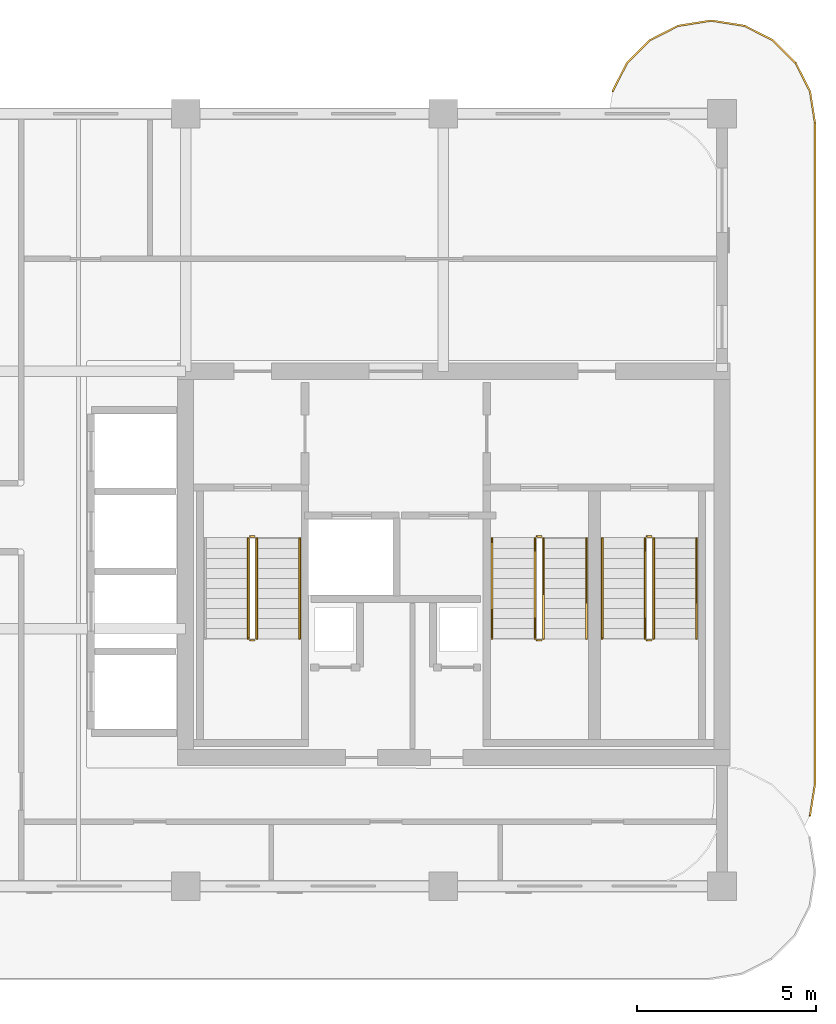
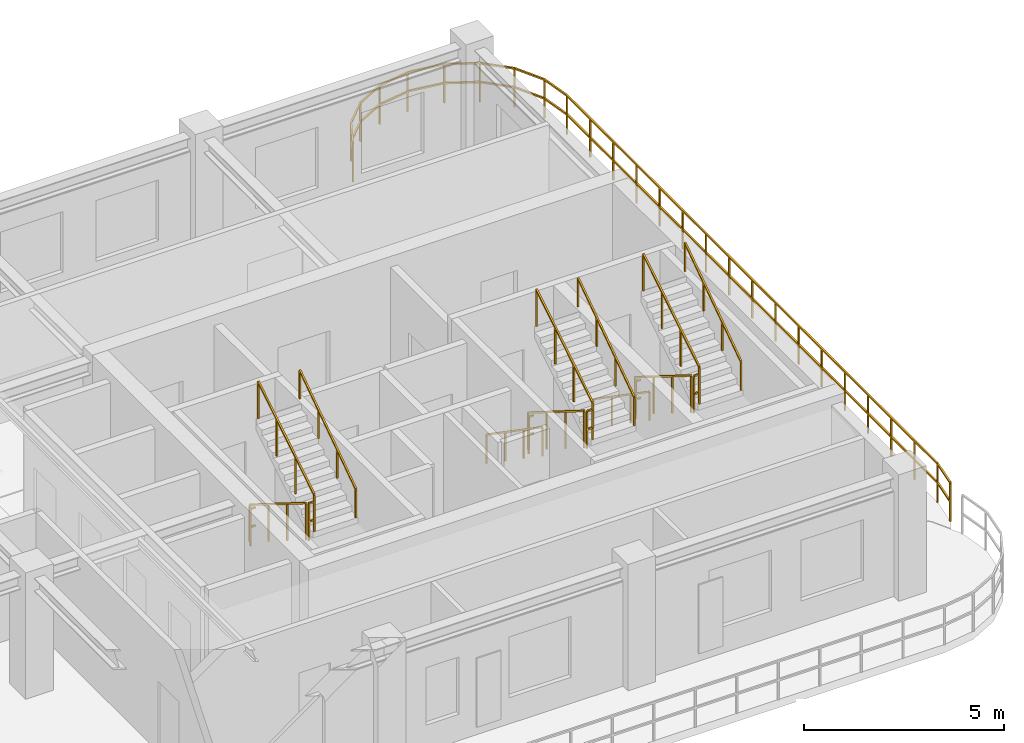
# One storey, part 7 of 7: 18 railings.
"""IFC4 building model written with IfcOpenShell, lengths in metres."""

from ifc_helpers import new_model, si_unit, derived_unit, direction, frame, origin, origin_2d, place, context, subcontext, project, spatial, rectangle, extrude, material, type_object, element, save


model = new_model("IFC4")

# Units and contexts
model_context = context("Model", 3, precision=1e-05, world=origin(), true_north=direction((0.0, 1.0)))
body_context = subcontext(model_context, "Body", "Model", "MODEL_VIEW")
ifc_project = project(units=[si_unit("LENGTHUNIT", "METRE"), si_unit("AREAUNIT", "SQUARE_METRE"), si_unit("VOLUMEUNIT", "CUBIC_METRE"), si_unit("PLANEANGLEUNIT", "RADIAN"), si_unit("MASSUNIT", "GRAM", prefix="KILO"), si_unit("THERMODYNAMICTEMPERATUREUNIT", "KELVIN"), si_unit("POWERUNIT", "WATT"), derived_unit("THERMALTRANSMITTANCEUNIT", [(si_unit("POWERUNIT", "WATT"), 1), (si_unit("AREAUNIT", "SQUARE_METRE"), -1), (si_unit("THERMODYNAMICTEMPERATUREUNIT", "KELVIN"), -1)])], contexts=[model_context])

# Site, building, storey
site_placement = place(None, origin())
site = spatial("IfcSite", under=ifc_project, at=site_placement, CompositionType="ELEMENT")
building_placement = place(site_placement, origin())
building = spatial("IfcBuilding", under=site, at=building_placement, Name="Zahravan Archway Hotel and Residences", CompositionType="ELEMENT")
storey_placement = place(building_placement, frame((0.0, 0.0, 271.199951171875)))
storey = spatial("IfcBuildingStorey", under=building, at=storey_placement, Name="L68", CompositionType="ELEMENT", Elevation=271.199951171875)

# Railings
ifc_material_1 = material(Name="Bronze & Laminated Glass Balustrade", Category="glass")
railing_type_1 = type_object("IfcRailingType", Name="RL-BAL-1200", PredefinedType="BALUSTRADE", material=ifc_material_1)
railing_1_placement = place(storey_placement, frame((46.739501953125, 22.230712890625, 0.0)))
element("IfcRailing", 1, at=railing_1_placement, inside=storey, type_object=railing_type_1, Name="L68 Balustrade RL-SLB-BAL-L68-EA-1", PredefinedType="BALUSTRADE", context=body_context, shape_type="SweptSolid", body=[
    extrude(rectangle(XDim=0.048095703125, YDim=0.048095703125, at=origin_2d()), frame((0.0, 0.0, 1.17578125), z_axis=(0.453991409995, 0.891006060389, 0.0), x_axis=(-0.891006060389, 0.453991409995, 0.0)), (0.0, 0.0, 1.0), 0.8916015625),
    extrude(rectangle(XDim=0.048095703125, YDim=0.048095703125, at=origin_2d()), frame((0.0, 0.0, 0.60009765625), z_axis=(0.453991409995, 0.891006060389, 0.0), x_axis=(-0.891006060389, 0.453991409995, 0.0)), (0.0, 0.0, 1.0), 0.8916015625),
    extrude(rectangle(XDim=0.048095703125, YDim=0.048095703125, at=origin_2d()), frame((0.40478515625, 0.79443359375, 1.17578125), z_axis=(0.707106781187, 0.707106781187, 0.0), x_axis=(-0.707106781187, 0.707106781187, 0.0)), (0.0, 0.0, 1.0), 0.891845703125),
    extrude(rectangle(XDim=0.048095703125, YDim=0.048095703125, at=origin_2d()), frame((0.40478515625, 0.79443359375, 0.60009765625), z_axis=(0.707106781187, 0.707106781187, 0.0), x_axis=(-0.707106781187, 0.707106781187, 0.0)), (0.0, 0.0, 1.0), 0.891845703125),
    extrude(rectangle(XDim=0.048095703125, YDim=0.048095703125, at=origin_2d()), frame((1.035400390625, 1.425048828125, 1.17578125), z_axis=(0.891006060389, 0.453991409995, 0.0), x_axis=(-0.453991409995, 0.891006060389, 0.0)), (0.0, 0.0, 1.0), 0.8916015625),
    extrude(rectangle(XDim=0.048095703125, YDim=0.048095703125, at=origin_2d()), frame((1.035400390625, 1.425048828125, 0.60009765625), z_axis=(0.891006060389, 0.453991409995, 0.0), x_axis=(-0.453991409995, 0.891006060389, 0.0)), (0.0, 0.0, 1.0), 0.8916015625),
    extrude(rectangle(XDim=0.048095703125, YDim=0.048095703125, at=origin_2d()), frame((1.829833984375, 1.829833984375, 1.17578125), z_axis=(0.987700720307, 0.156356282588, 0.0), x_axis=(-0.156356282588, 0.987700720307, 0.0)), (0.0, 0.0, 1.0), 0.8916015625),
    extrude(rectangle(XDim=0.048095703125, YDim=0.048095703125, at=origin_2d()), frame((1.829833984375, 1.829833984375, 0.60009765625), z_axis=(0.987700720307, 0.156356282588, 0.0), x_axis=(-0.156356282588, 0.987700720307, 0.0)), (0.0, 0.0, 1.0), 0.8916015625),
    extrude(rectangle(XDim=0.048095703125, YDim=0.048095703125, at=origin_2d()), frame((2.71044921875, 1.96923828125, 1.17578125), z_axis=(1.0, 0.0, 0.0), x_axis=(0.0, 1.0, 0.0)), (0.0, 0.0, 1.0), 0.10009765625),
    extrude(rectangle(XDim=0.048095703125, YDim=0.048095703125, at=origin_2d()), frame((2.71044921875, 1.96923828125, 0.60009765625), z_axis=(1.0, 0.0, 0.0), x_axis=(0.0, 1.0, 0.0)), (0.0, 0.0, 1.0), 0.10009765625),
    extrude(rectangle(XDim=0.048095703125, YDim=0.048095703125, at=origin_2d()), frame((2.810546875, 1.96923828125, 1.17578125), z_axis=(0.987700720307, -0.156356282588, 0.0), x_axis=(0.156356282588, 0.987700720307, 0.0)), (0.0, 0.0, 1.0), 0.8916015625),
    extrude(rectangle(XDim=0.048095703125, YDim=0.048095703125, at=origin_2d()), frame((2.810546875, 1.96923828125, 0.60009765625), z_axis=(0.987700720307, -0.156356282588, 0.0), x_axis=(0.156356282588, 0.987700720307, 0.0)), (0.0, 0.0, 1.0), 0.8916015625),
    extrude(rectangle(XDim=0.048095703125, YDim=0.048095703125, at=origin_2d()), frame((3.691162109375, 1.829833984375, 1.17578125), z_axis=(0.891006060389, -0.453991409995, 0.0), x_axis=(0.453991409995, 0.891006060389, 0.0)), (0.0, 0.0, 1.0), 0.8916015625),
    extrude(rectangle(XDim=0.048095703125, YDim=0.048095703125, at=origin_2d()), frame((3.691162109375, 1.829833984375, 0.60009765625), z_axis=(0.891006060389, -0.453991409995, 0.0), x_axis=(0.453991409995, 0.891006060389, 0.0)), (0.0, 0.0, 1.0), 0.8916015625),
    extrude(rectangle(XDim=0.048095703125, YDim=0.048095703125, at=origin_2d()), frame((4.485595703125, 1.425048828125, 1.17578125), z_axis=(0.707106781187, -0.707106781187, 0.0), x_axis=(0.707106781187, 0.707106781187, 0.0)), (0.0, 0.0, 1.0), 0.891845703125),
    extrude(rectangle(XDim=0.048095703125, YDim=0.048095703125, at=origin_2d()), frame((4.485595703125, 1.425048828125, 0.60009765625), z_axis=(0.707106781187, -0.707106781187, 0.0), x_axis=(0.707106781187, 0.707106781187, 0.0)), (0.0, 0.0, 1.0), 0.891845703125),
    extrude(rectangle(XDim=0.048095703125, YDim=0.048095703125, at=origin_2d()), frame((5.1162109375, 0.79443359375, 1.17578125), z_axis=(0.453991409995, -0.891006060389, 0.0), x_axis=(0.891006060389, 0.453991409995, 0.0)), (0.0, 0.0, 1.0), 0.8916015625),
    extrude(rectangle(XDim=0.048095703125, YDim=0.048095703125, at=origin_2d()), frame((5.1162109375, 0.79443359375, 0.60009765625), z_axis=(0.453991409995, -0.891006060389, 0.0), x_axis=(0.891006060389, 0.453991409995, 0.0)), (0.0, 0.0, 1.0), 0.8916015625),
    extrude(rectangle(XDim=0.048095703125, YDim=0.048095703125, at=origin_2d()), frame((5.52099609375, 0.0, 1.17578125), z_axis=(0.156356282588, -0.987700720307, 0.0), x_axis=(0.987700720307, 0.156356282588, 0.0)), (0.0, 0.0, 1.0), 0.8916015625),
    extrude(rectangle(XDim=0.048095703125, YDim=0.048095703125, at=origin_2d()), frame((5.52099609375, 0.0, 0.60009765625), z_axis=(0.156356282588, -0.987700720307, 0.0), x_axis=(0.987700720307, 0.156356282588, 0.0)), (0.0, 0.0, 1.0), 0.8916015625),
    extrude(rectangle(XDim=0.048095703125, YDim=0.048095703125, at=origin_2d()), frame((5.660400390625, -0.880615234375, 1.17578125), z_axis=(0.0, -1.0, 0.0), x_axis=(1.0, 0.0, 0.0)), (0.0, 0.0, 1.0), 18.5),
    extrude(rectangle(XDim=0.048095703125, YDim=0.048095703125, at=origin_2d()), frame((5.660400390625, -0.880615234375, 0.60009765625), z_axis=(0.0, -1.0, 0.0), x_axis=(1.0, 0.0, 0.0)), (0.0, 0.0, 1.0), 18.5),
    extrude(rectangle(XDim=0.048095703125, YDim=0.048095703125, at=origin_2d()), frame((5.660400390625, -19.380615234375, 1.17578125), z_axis=(-0.156314005608, -0.987707411965, 0.0), x_axis=(0.987707411965, -0.156314005608, 0.0)), (0.0, 0.0, 1.0), 0.891845703125),
    extrude(rectangle(XDim=0.048095703125, YDim=0.048095703125, at=origin_2d()), frame((5.660400390625, -19.380615234375, 0.60009765625), z_axis=(-0.156314005608, -0.987707411965, 0.0), x_axis=(0.987707411965, -0.156314005608, 0.0)), (0.0, 0.0, 1.0), 0.891845703125),
    extrude(rectangle(XDim=0.0419921875, YDim=0.0419921875, at=origin_2d()), origin(), (0.0, 0.0, 1.0), 1.15185546875),
    extrude(rectangle(XDim=0.0419921875, YDim=0.0419921875, at=origin_2d()), frame((0.40478515625, 0.79443359375, 0.0)), (0.0, 0.0, 1.0), 1.15185546875),
    extrude(rectangle(XDim=0.0419921875, YDim=0.0419921875, at=origin_2d()), frame((1.035400390625, 1.425048828125, 0.0)), (0.0, 0.0, 1.0), 1.15185546875),
    extrude(rectangle(XDim=0.0419921875, YDim=0.0419921875, at=origin_2d()), frame((1.829833984375, 1.829833984375, 0.0)), (0.0, 0.0, 1.0), 1.15185546875),
    extrude(rectangle(XDim=0.0419921875, YDim=0.0419921875, at=origin_2d()), frame((2.71044921875, 1.96923828125, 0.0)), (0.0, 0.0, 1.0), 1.15185546875),
    extrude(rectangle(XDim=0.0419921875, YDim=0.0419921875, at=origin_2d()), frame((3.691162109375, 1.829833984375, 0.0)), (0.0, 0.0, 1.0), 1.15185546875),
    extrude(rectangle(XDim=0.0419921875, YDim=0.0419921875, at=origin_2d()), frame((4.485595703125, 1.425048828125, 0.0)), (0.0, 0.0, 1.0), 1.15185546875),
    extrude(rectangle(XDim=0.0419921875, YDim=0.0419921875, at=origin_2d()), frame((5.1162109375, 0.79443359375, 0.0)), (0.0, 0.0, 1.0), 1.15185546875),
    extrude(rectangle(XDim=0.0419921875, YDim=0.0419921875, at=origin_2d()), frame((5.52099609375, 0.0, 0.0)), (0.0, 0.0, 1.0), 1.15185546875),
    extrude(rectangle(XDim=0.0419921875, YDim=0.0419921875, at=origin_2d()), frame((5.660400390625, -0.880615234375, 0.0)), (0.0, 0.0, 1.0), 1.15185546875),
    extrude(rectangle(XDim=0.0419921875, YDim=0.0419921875, at=origin_2d()), frame((5.660400390625, -2.036865234375, 0.0)), (0.0, 0.0, 1.0), 1.15185546875),
    extrude(rectangle(XDim=0.0419921875, YDim=0.0419921875, at=origin_2d()), frame((5.660400390625, -3.193115234375, 0.0)), (0.0, 0.0, 1.0), 1.15185546875),
    extrude(rectangle(XDim=0.0419921875, YDim=0.0419921875, at=origin_2d()), frame((5.660400390625, -4.349365234375, 0.0)), (0.0, 0.0, 1.0), 1.15185546875),
    extrude(rectangle(XDim=0.0419921875, YDim=0.0419921875, at=origin_2d()), frame((5.660400390625, -5.505615234375, 0.0)), (0.0, 0.0, 1.0), 1.15185546875),
    extrude(rectangle(XDim=0.0419921875, YDim=0.0419921875, at=origin_2d()), frame((5.660400390625, -6.661865234375, 0.0)), (0.0, 0.0, 1.0), 1.15185546875),
    extrude(rectangle(XDim=0.0419921875, YDim=0.0419921875, at=origin_2d()), frame((5.660400390625, -7.818115234375, 0.0)), (0.0, 0.0, 1.0), 1.15185546875),
    extrude(rectangle(XDim=0.0419921875, YDim=0.0419921875, at=origin_2d()), frame((5.660400390625, -8.974365234375, 0.0)), (0.0, 0.0, 1.0), 1.15185546875),
    extrude(rectangle(XDim=0.0419921875, YDim=0.0419921875, at=origin_2d()), frame((5.660400390625, -10.130615234375, 0.0)), (0.0, 0.0, 1.0), 1.15185546875),
    extrude(rectangle(XDim=0.0419921875, YDim=0.0419921875, at=origin_2d()), frame((5.660400390625, -11.286865234375, 0.0)), (0.0, 0.0, 1.0), 1.15185546875),
    extrude(rectangle(XDim=0.0419921875, YDim=0.0419921875, at=origin_2d()), frame((5.660400390625, -12.443115234375, 0.0)), (0.0, 0.0, 1.0), 1.15185546875),
    extrude(rectangle(XDim=0.0419921875, YDim=0.0419921875, at=origin_2d()), frame((5.660400390625, -13.599365234375, 0.0)), (0.0, 0.0, 1.0), 1.15185546875),
    extrude(rectangle(XDim=0.0419921875, YDim=0.0419921875, at=origin_2d()), frame((5.660400390625, -14.755615234375, 0.0)), (0.0, 0.0, 1.0), 1.15185546875),
    extrude(rectangle(XDim=0.0419921875, YDim=0.0419921875, at=origin_2d()), frame((5.660400390625, -15.911865234375, 0.0)), (0.0, 0.0, 1.0), 1.15185546875),
    extrude(rectangle(XDim=0.0419921875, YDim=0.0419921875, at=origin_2d()), frame((5.660400390625, -17.068115234375, 0.0)), (0.0, 0.0, 1.0), 1.15185546875),
    extrude(rectangle(XDim=0.0419921875, YDim=0.0419921875, at=origin_2d()), frame((5.660400390625, -18.224365234375, 0.0)), (0.0, 0.0, 1.0), 1.15185546875),
    extrude(rectangle(XDim=0.0419921875, YDim=0.0419921875, at=origin_2d()), frame((5.660400390625, -19.380615234375, 0.0)), (0.0, 0.0, 1.0), 1.15185546875),
    extrude(rectangle(XDim=0.0419921875, YDim=0.0419921875, at=origin_2d()), frame((5.52099609375, -20.261474609375, 0.0)), (0.0, 0.0, 1.0), 1.15185546875),
])
ifc_material_2 = material(Name="Painted Tubular Steel", Category="steel")
railing_type_2 = type_object("IfcRailingType", Name="RL-STG-1150", PredefinedType="GUARDRAIL", material=ifc_material_2)
railing_2_placement = place(storey_placement, frame((36.550048828125, 9.72998046875, 0.175048828125)))
element("IfcRailing", 2, at=railing_2_placement, inside=storey, type_object=railing_type_2, Name="L68 ST-A1 stair guard 1", PredefinedType="GUARDRAIL", context=body_context, shape_type="SweptSolid", body=[
    extrude(rectangle(XDim=0.048095703125, YDim=0.048095703125, at=origin_2d()), frame((0.0, 0.0, 1.1259765625), z_axis=(0.0, -0.848002457836, 0.529992293815), x_axis=(1.0, 0.0, 0.0)), (0.0, 0.0, 1.0), 3.302001953125),
    extrude(rectangle(XDim=0.0419921875, YDim=0.0419921875, at=origin_2d()), origin(), (0.0, 0.0, 1.0), 1.101806640625),
    extrude(rectangle(XDim=0.0419921875, YDim=0.0419921875, at=origin_2d()), frame((0.0, -0.933349609375, 0.583251953125)), (0.0, 0.0, 1.0), 1.101806640625),
    extrude(rectangle(XDim=0.0419921875, YDim=0.0419921875, at=origin_2d()), frame((0.0, -1.86669921875, 1.166748046875)), (0.0, 0.0, 1.0), 1.101806640625),
    extrude(rectangle(XDim=0.0419921875, YDim=0.0419921875, at=origin_2d()), frame((0.0, -2.800048828125, 1.75)), (0.0, 0.0, 1.0), 1.101806640625),
])
railing_3_placement = place(storey_placement, frame((36.60009765625, 6.8798828125, 1.925048828125)))
element("IfcRailing", 3, at=railing_3_placement, inside=storey, type_object=railing_type_2, Name="L68 ST-A1 stair guard 2", PredefinedType="GUARDRAIL", context=body_context, shape_type="SweptSolid", body=[
    extrude(rectangle(XDim=0.048095703125, YDim=0.048095703125, at=origin_2d()), frame((0.0, 0.0, 1.1259765625), z_axis=(1.0, 0.0, 0.0), x_axis=(0.0, 1.0, 0.0)), (0.0, 0.0, 1.0), 0.139892578125),
    extrude(rectangle(XDim=0.048095703125, YDim=0.048095703125, at=origin_2d()), frame((0.0, 0.0, 0.574951171875), z_axis=(1.0, 0.0, 0.0), x_axis=(0.0, 1.0, 0.0)), (0.0, 0.0, 1.0), 0.139892578125),
    extrude(rectangle(XDim=0.0419921875, YDim=0.0419921875, at=origin_2d()), origin(), (0.0, 0.0, 1.0), 1.101806640625),
])
railing_4_placement = place(storey_placement, frame((36.7900390625, 6.929931640625, 2.10009765625)))
element("IfcRailing", 4, at=railing_4_placement, inside=storey, type_object=railing_type_2, Name="L68 ST-A1 stair guard 3", PredefinedType="GUARDRAIL", context=body_context, shape_type="SweptSolid", body=[
    extrude(rectangle(XDim=0.048095703125, YDim=0.048095703125, at=origin_2d()), frame((0.0, 0.0, 1.1259765625), z_axis=(0.0, 0.848002457836, 0.529992293815), x_axis=(-1.0, 0.0, 0.0)), (0.0, 0.0, 1.0), 3.302001953125),
    extrude(rectangle(XDim=0.0419921875, YDim=0.0419921875, at=origin_2d()), origin(), (0.0, 0.0, 1.0), 1.101806640625),
    extrude(rectangle(XDim=0.0419921875, YDim=0.0419921875, at=origin_2d()), frame((0.0, 0.933349609375, 0.583251953125)), (0.0, 0.0, 1.0), 1.101806640625),
    extrude(rectangle(XDim=0.0419921875, YDim=0.0419921875, at=origin_2d()), frame((0.0, 1.86669921875, 1.166748046875)), (0.0, 0.0, 1.0), 1.101806640625),
    extrude(rectangle(XDim=0.0419921875, YDim=0.0419921875, at=origin_2d()), frame((0.0, 2.800048828125, 1.75)), (0.0, 0.0, 1.0), 1.101806640625),
])
railing_5_placement = place(storey_placement, frame((36.60009765625, 9.780029296875, 0.0)))
element("IfcRailing", 5, at=railing_5_placement, inside=storey, type_object=railing_type_2, Name="L68 ST-A1 stair guard 4", PredefinedType="GUARDRAIL", context=body_context, shape_type="SweptSolid", body=[
    extrude(rectangle(XDim=0.048095703125, YDim=0.048095703125, at=origin_2d()), frame((0.0, 0.0, 1.1259765625), z_axis=(1.0, 0.0, 0.0), x_axis=(0.0, 1.0, 0.0)), (0.0, 0.0, 1.0), 0.139892578125),
    extrude(rectangle(XDim=0.048095703125, YDim=0.048095703125, at=origin_2d()), frame((0.0, 0.0, 0.574951171875), z_axis=(1.0, 0.0, 0.0), x_axis=(0.0, 1.0, 0.0)), (0.0, 0.0, 1.0), 0.139892578125),
    extrude(rectangle(XDim=0.0419921875, YDim=0.0419921875, at=origin_2d()), origin(), (0.0, 0.0, 1.0), 1.101806640625),
])
railing_6_placement = place(storey_placement, frame((44.570068359375, 9.72998046875, 0.175048828125)))
element("IfcRailing", 6, at=railing_6_placement, inside=storey, type_object=railing_type_2, Name="L68 ST-A2 stair guard 1", PredefinedType="GUARDRAIL", context=body_context, shape_type="SweptSolid", body=[
    extrude(rectangle(XDim=0.048095703125, YDim=0.048095703125, at=origin_2d()), frame((0.0, 0.0, 1.1259765625), z_axis=(0.0, -0.848002457836, 0.529992293815), x_axis=(1.0, 0.0, 0.0)), (0.0, 0.0, 1.0), 3.302001953125),
    extrude(rectangle(XDim=0.0419921875, YDim=0.0419921875, at=origin_2d()), origin(), (0.0, 0.0, 1.0), 1.101806640625),
    extrude(rectangle(XDim=0.0419921875, YDim=0.0419921875, at=origin_2d()), frame((0.0, -0.933349609375, 0.583251953125)), (0.0, 0.0, 1.0), 1.101806640625),
    extrude(rectangle(XDim=0.0419921875, YDim=0.0419921875, at=origin_2d()), frame((0.0, -1.86669921875, 1.166748046875)), (0.0, 0.0, 1.0), 1.101806640625),
    extrude(rectangle(XDim=0.0419921875, YDim=0.0419921875, at=origin_2d()), frame((0.0, -2.800048828125, 1.75)), (0.0, 0.0, 1.0), 1.101806640625),
])
railing_7_placement = place(storey_placement, frame((44.6201171875, 6.8798828125, 1.925048828125)))
element("IfcRailing", 7, at=railing_7_placement, inside=storey, type_object=railing_type_2, Name="L68 ST-A2 stair guard 2", PredefinedType="GUARDRAIL", context=body_context, shape_type="SweptSolid", body=[
    extrude(rectangle(XDim=0.048095703125, YDim=0.048095703125, at=origin_2d()), frame((0.0, 0.0, 1.1259765625), z_axis=(1.0, 0.0, 0.0), x_axis=(0.0, 1.0, 0.0)), (0.0, 0.0, 1.0), 0.139892578125),
    extrude(rectangle(XDim=0.048095703125, YDim=0.048095703125, at=origin_2d()), frame((0.0, 0.0, 0.574951171875), z_axis=(1.0, 0.0, 0.0), x_axis=(0.0, 1.0, 0.0)), (0.0, 0.0, 1.0), 0.139892578125),
    extrude(rectangle(XDim=0.0419921875, YDim=0.0419921875, at=origin_2d()), origin(), (0.0, 0.0, 1.0), 1.101806640625),
])
railing_8_placement = place(storey_placement, frame((44.81005859375, 6.929931640625, 2.10009765625)))
element("IfcRailing", 8, at=railing_8_placement, inside=storey, type_object=railing_type_2, Name="L68 ST-A2 stair guard 3", PredefinedType="GUARDRAIL", context=body_context, shape_type="SweptSolid", body=[
    extrude(rectangle(XDim=0.048095703125, YDim=0.048095703125, at=origin_2d()), frame((0.0, 0.0, 1.1259765625), z_axis=(0.0, 0.848002457836, 0.529992293815), x_axis=(-1.0, 0.0, 0.0)), (0.0, 0.0, 1.0), 3.302001953125),
    extrude(rectangle(XDim=0.0419921875, YDim=0.0419921875, at=origin_2d()), origin(), (0.0, 0.0, 1.0), 1.101806640625),
    extrude(rectangle(XDim=0.0419921875, YDim=0.0419921875, at=origin_2d()), frame((0.0, 0.933349609375, 0.583251953125)), (0.0, 0.0, 1.0), 1.101806640625),
    extrude(rectangle(XDim=0.0419921875, YDim=0.0419921875, at=origin_2d()), frame((0.0, 1.86669921875, 1.166748046875)), (0.0, 0.0, 1.0), 1.101806640625),
    extrude(rectangle(XDim=0.0419921875, YDim=0.0419921875, at=origin_2d()), frame((0.0, 2.800048828125, 1.75)), (0.0, 0.0, 1.0), 1.101806640625),
])
railing_9_placement = place(storey_placement, frame((44.6201171875, 9.780029296875, 0.0)))
element("IfcRailing", 9, at=railing_9_placement, inside=storey, type_object=railing_type_2, Name="L68 ST-A2 stair guard 4", PredefinedType="GUARDRAIL", context=body_context, shape_type="SweptSolid", body=[
    extrude(rectangle(XDim=0.048095703125, YDim=0.048095703125, at=origin_2d()), frame((0.0, 0.0, 1.1259765625), z_axis=(1.0, 0.0, 0.0), x_axis=(0.0, 1.0, 0.0)), (0.0, 0.0, 1.0), 0.139892578125),
    extrude(rectangle(XDim=0.048095703125, YDim=0.048095703125, at=origin_2d()), frame((0.0, 0.0, 0.574951171875), z_axis=(1.0, 0.0, 0.0), x_axis=(0.0, 1.0, 0.0)), (0.0, 0.0, 1.0), 0.139892578125),
    extrude(rectangle(XDim=0.0419921875, YDim=0.0419921875, at=origin_2d()), origin(), (0.0, 0.0, 1.0), 1.101806640625),
])
railing_10_placement = place(storey_placement, frame((47.64990234375, 9.72998046875, 0.175048828125)))
element("IfcRailing", 10, at=railing_10_placement, inside=storey, type_object=railing_type_2, Name="L68 ST-A3 stair guard 1", PredefinedType="GUARDRAIL", context=body_context, shape_type="SweptSolid", body=[
    extrude(rectangle(XDim=0.048095703125, YDim=0.048095703125, at=origin_2d()), frame((0.0, 0.0, 1.1259765625), z_axis=(0.0, -0.848002457836, 0.529992293815), x_axis=(1.0, 0.0, 0.0)), (0.0, 0.0, 1.0), 3.302001953125),
    extrude(rectangle(XDim=0.0419921875, YDim=0.0419921875, at=origin_2d()), origin(), (0.0, 0.0, 1.0), 1.101806640625),
    extrude(rectangle(XDim=0.0419921875, YDim=0.0419921875, at=origin_2d()), frame((0.0, -0.933349609375, 0.583251953125)), (0.0, 0.0, 1.0), 1.101806640625),
    extrude(rectangle(XDim=0.0419921875, YDim=0.0419921875, at=origin_2d()), frame((0.0, -1.86669921875, 1.166748046875)), (0.0, 0.0, 1.0), 1.101806640625),
    extrude(rectangle(XDim=0.0419921875, YDim=0.0419921875, at=origin_2d()), frame((0.0, -2.800048828125, 1.75)), (0.0, 0.0, 1.0), 1.101806640625),
])
railing_11_placement = place(storey_placement, frame((47.699951171875, 6.8798828125, 1.925048828125)))
element("IfcRailing", 11, at=railing_11_placement, inside=storey, type_object=railing_type_2, Name="L68 ST-A3 stair guard 2", PredefinedType="GUARDRAIL", context=body_context, shape_type="SweptSolid", body=[
    extrude(rectangle(XDim=0.048095703125, YDim=0.048095703125, at=origin_2d()), frame((0.0, 0.0, 1.1259765625), z_axis=(1.0, 0.0, 0.0), x_axis=(0.0, 1.0, 0.0)), (0.0, 0.0, 1.0), 0.14013671875),
    extrude(rectangle(XDim=0.048095703125, YDim=0.048095703125, at=origin_2d()), frame((0.0, 0.0, 0.574951171875), z_axis=(1.0, 0.0, 0.0), x_axis=(0.0, 1.0, 0.0)), (0.0, 0.0, 1.0), 0.14013671875),
    extrude(rectangle(XDim=0.0419921875, YDim=0.0419921875, at=origin_2d()), origin(), (0.0, 0.0, 1.0), 1.101806640625),
])
railing_12_placement = place(storey_placement, frame((47.889892578125, 6.929931640625, 2.10009765625)))
element("IfcRailing", 12, at=railing_12_placement, inside=storey, type_object=railing_type_2, Name="L68 ST-A3 stair guard 3", PredefinedType="GUARDRAIL", context=body_context, shape_type="SweptSolid", body=[
    extrude(rectangle(XDim=0.048095703125, YDim=0.048095703125, at=origin_2d()), frame((0.0, 0.0, 1.1259765625), z_axis=(0.0, 0.848002457836, 0.529992293815), x_axis=(-1.0, 0.0, 0.0)), (0.0, 0.0, 1.0), 3.302001953125),
    extrude(rectangle(XDim=0.0419921875, YDim=0.0419921875, at=origin_2d()), origin(), (0.0, 0.0, 1.0), 1.101806640625),
    extrude(rectangle(XDim=0.0419921875, YDim=0.0419921875, at=origin_2d()), frame((0.0, 0.933349609375, 0.583251953125)), (0.0, 0.0, 1.0), 1.101806640625),
    extrude(rectangle(XDim=0.0419921875, YDim=0.0419921875, at=origin_2d()), frame((0.0, 1.86669921875, 1.166748046875)), (0.0, 0.0, 1.0), 1.101806640625),
    extrude(rectangle(XDim=0.0419921875, YDim=0.0419921875, at=origin_2d()), frame((0.0, 2.800048828125, 1.75)), (0.0, 0.0, 1.0), 1.101806640625),
])
railing_13_placement = place(storey_placement, frame((47.699951171875, 9.780029296875, 0.0)))
element("IfcRailing", 13, at=railing_13_placement, inside=storey, type_object=railing_type_2, Name="L68 ST-A3 stair guard 4", PredefinedType="GUARDRAIL", context=body_context, shape_type="SweptSolid", body=[
    extrude(rectangle(XDim=0.048095703125, YDim=0.048095703125, at=origin_2d()), frame((0.0, 0.0, 1.1259765625), z_axis=(1.0, 0.0, 0.0), x_axis=(0.0, 1.0, 0.0)), (0.0, 0.0, 1.0), 0.14013671875),
    extrude(rectangle(XDim=0.048095703125, YDim=0.048095703125, at=origin_2d()), frame((0.0, 0.0, 0.574951171875), z_axis=(1.0, 0.0, 0.0), x_axis=(0.0, 1.0, 0.0)), (0.0, 0.0, 1.0), 0.14013671875),
    extrude(rectangle(XDim=0.0419921875, YDim=0.0419921875, at=origin_2d()), origin(), (0.0, 0.0, 1.0), 1.101806640625),
])
ifc_material_3 = material(Name="Brushed Stainless Steel", Category="steel")
railing_type_3 = type_object("IfcRailingType", Name="RL-STH-900", PredefinedType="HANDRAIL", material=ifc_material_3)
railing_14_placement = place(storey_placement, frame((37.989990234375, 6.929931640625, 2.10009765625)))
element("IfcRailing", 14, at=railing_14_placement, inside=storey, type_object=railing_type_3, Name="L68 ST-A1 stair handrail 2", PredefinedType="HANDRAIL", context=body_context, shape_type="SweptSolid", body=[
    extrude(rectangle(XDim=0.048095703125, YDim=0.048095703125, at=origin_2d()), frame((0.0, 0.0, 0.8759765625), z_axis=(0.0, 0.824039827795, 0.566531872191), x_axis=(-1.0, 0.0, 0.0)), (0.0, 0.0, 1.0), 3.39794921875),
    extrude(rectangle(XDim=0.0419921875, YDim=0.0419921875, at=origin_2d()), origin(), (0.0, 0.0, 1.0), 0.851806640625),
    extrude(rectangle(XDim=0.0419921875, YDim=0.0419921875, at=origin_2d()), frame((0.0, 0.933349609375, 0.6416015625)), (0.0, 0.0, 1.0), 0.851806640625),
    extrude(rectangle(XDim=0.0419921875, YDim=0.0419921875, at=origin_2d()), frame((0.0, 1.86669921875, 1.283447265625)), (0.0, 0.0, 1.0), 0.851806640625),
    extrude(rectangle(XDim=0.0419921875, YDim=0.0419921875, at=origin_2d()), frame((0.0, 2.800048828125, 1.925048828125)), (0.0, 0.0, 1.0), 0.851806640625),
])
railing_15_placement = place(storey_placement, frame((43.3701171875, 9.72998046875, 0.175048828125)))
element("IfcRailing", 15, at=railing_15_placement, inside=storey, type_object=railing_type_3, Name="L68 ST-A2 stair handrail 1", PredefinedType="HANDRAIL", context=body_context, shape_type="SweptSolid", body=[
    extrude(rectangle(XDim=0.048095703125, YDim=0.048095703125, at=origin_2d()), frame((0.0, 0.0, 0.8759765625), z_axis=(0.0, -0.824039827795, 0.566531872191), x_axis=(1.0, 0.0, 0.0)), (0.0, 0.0, 1.0), 3.39794921875),
    extrude(rectangle(XDim=0.0419921875, YDim=0.0419921875, at=origin_2d()), origin(), (0.0, 0.0, 1.0), 0.851806640625),
    extrude(rectangle(XDim=0.0419921875, YDim=0.0419921875, at=origin_2d()), frame((0.0, -0.933349609375, 0.6416015625)), (0.0, 0.0, 1.0), 0.851806640625),
    extrude(rectangle(XDim=0.0419921875, YDim=0.0419921875, at=origin_2d()), frame((0.0, -1.86669921875, 1.283447265625)), (0.0, 0.0, 1.0), 0.851806640625),
    extrude(rectangle(XDim=0.0419921875, YDim=0.0419921875, at=origin_2d()), frame((0.0, -2.800048828125, 1.925048828125)), (0.0, 0.0, 1.0), 0.851806640625),
])
railing_16_placement = place(storey_placement, frame((46.010009765625, 6.929931640625, 2.10009765625)))
element("IfcRailing", 16, at=railing_16_placement, inside=storey, type_object=railing_type_3, Name="L68 ST-A2 stair handrail 2", PredefinedType="HANDRAIL", context=body_context, shape_type="SweptSolid", body=[
    extrude(rectangle(XDim=0.048095703125, YDim=0.048095703125, at=origin_2d()), frame((0.0, 0.0, 0.8759765625), z_axis=(0.0, 0.824039827795, 0.566531872191), x_axis=(-1.0, 0.0, 0.0)), (0.0, 0.0, 1.0), 3.39794921875),
    extrude(rectangle(XDim=0.0419921875, YDim=0.0419921875, at=origin_2d()), origin(), (0.0, 0.0, 1.0), 0.851806640625),
    extrude(rectangle(XDim=0.0419921875, YDim=0.0419921875, at=origin_2d()), frame((0.0, 0.933349609375, 0.6416015625)), (0.0, 0.0, 1.0), 0.851806640625),
    extrude(rectangle(XDim=0.0419921875, YDim=0.0419921875, at=origin_2d()), frame((0.0, 1.86669921875, 1.283447265625)), (0.0, 0.0, 1.0), 0.851806640625),
    extrude(rectangle(XDim=0.0419921875, YDim=0.0419921875, at=origin_2d()), frame((0.0, 2.800048828125, 1.925048828125)), (0.0, 0.0, 1.0), 0.851806640625),
])
railing_17_placement = place(storey_placement, frame((46.449951171875, 9.72998046875, 0.175048828125)))
element("IfcRailing", 17, at=railing_17_placement, inside=storey, type_object=railing_type_3, Name="L68 ST-A3 stair handrail 1", PredefinedType="HANDRAIL", context=body_context, shape_type="SweptSolid", body=[
    extrude(rectangle(XDim=0.048095703125, YDim=0.048095703125, at=origin_2d()), frame((0.0, 0.0, 0.8759765625), z_axis=(0.0, -0.824039827795, 0.566531872191), x_axis=(1.0, 0.0, 0.0)), (0.0, 0.0, 1.0), 3.39794921875),
    extrude(rectangle(XDim=0.0419921875, YDim=0.0419921875, at=origin_2d()), origin(), (0.0, 0.0, 1.0), 0.851806640625),
    extrude(rectangle(XDim=0.0419921875, YDim=0.0419921875, at=origin_2d()), frame((0.0, -0.933349609375, 0.6416015625)), (0.0, 0.0, 1.0), 0.851806640625),
    extrude(rectangle(XDim=0.0419921875, YDim=0.0419921875, at=origin_2d()), frame((0.0, -1.86669921875, 1.283447265625)), (0.0, 0.0, 1.0), 0.851806640625),
    extrude(rectangle(XDim=0.0419921875, YDim=0.0419921875, at=origin_2d()), frame((0.0, -2.800048828125, 1.925048828125)), (0.0, 0.0, 1.0), 0.851806640625),
])
railing_18_placement = place(storey_placement, frame((49.090087890625, 6.929931640625, 2.10009765625)))
element("IfcRailing", 18, at=railing_18_placement, inside=storey, type_object=railing_type_3, Name="L68 ST-A3 stair handrail 2", PredefinedType="HANDRAIL", context=body_context, shape_type="SweptSolid", body=[
    extrude(rectangle(XDim=0.048095703125, YDim=0.048095703125, at=origin_2d()), frame((0.0, 0.0, 0.8759765625), z_axis=(0.0, 0.824039827795, 0.566531872191), x_axis=(-1.0, 0.0, 0.0)), (0.0, 0.0, 1.0), 3.39794921875),
    extrude(rectangle(XDim=0.0419921875, YDim=0.0419921875, at=origin_2d()), origin(), (0.0, 0.0, 1.0), 0.851806640625),
    extrude(rectangle(XDim=0.0419921875, YDim=0.0419921875, at=origin_2d()), frame((0.0, 0.933349609375, 0.6416015625)), (0.0, 0.0, 1.0), 0.851806640625),
    extrude(rectangle(XDim=0.0419921875, YDim=0.0419921875, at=origin_2d()), frame((0.0, 1.86669921875, 1.283447265625)), (0.0, 0.0, 1.0), 0.851806640625),
    extrude(rectangle(XDim=0.0419921875, YDim=0.0419921875, at=origin_2d()), frame((0.0, 2.800048828125, 1.925048828125)), (0.0, 0.0, 1.0), 0.851806640625),
])

save(model, "model.ifc")
